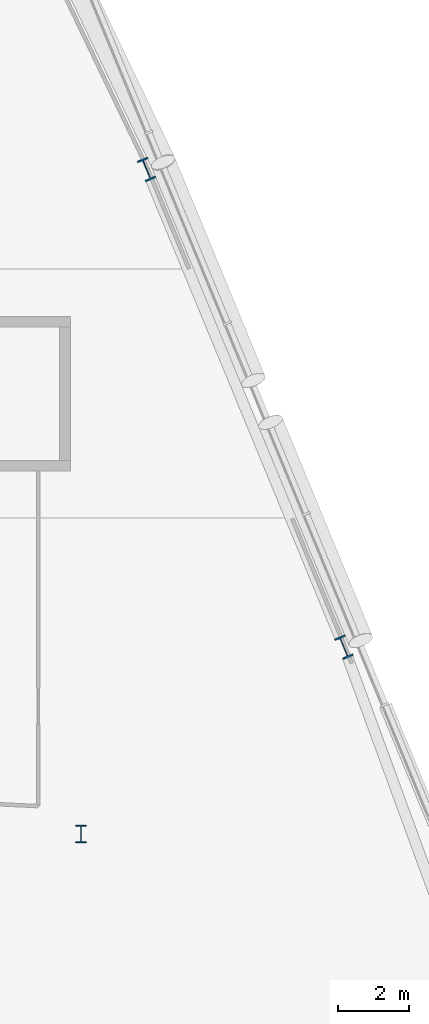
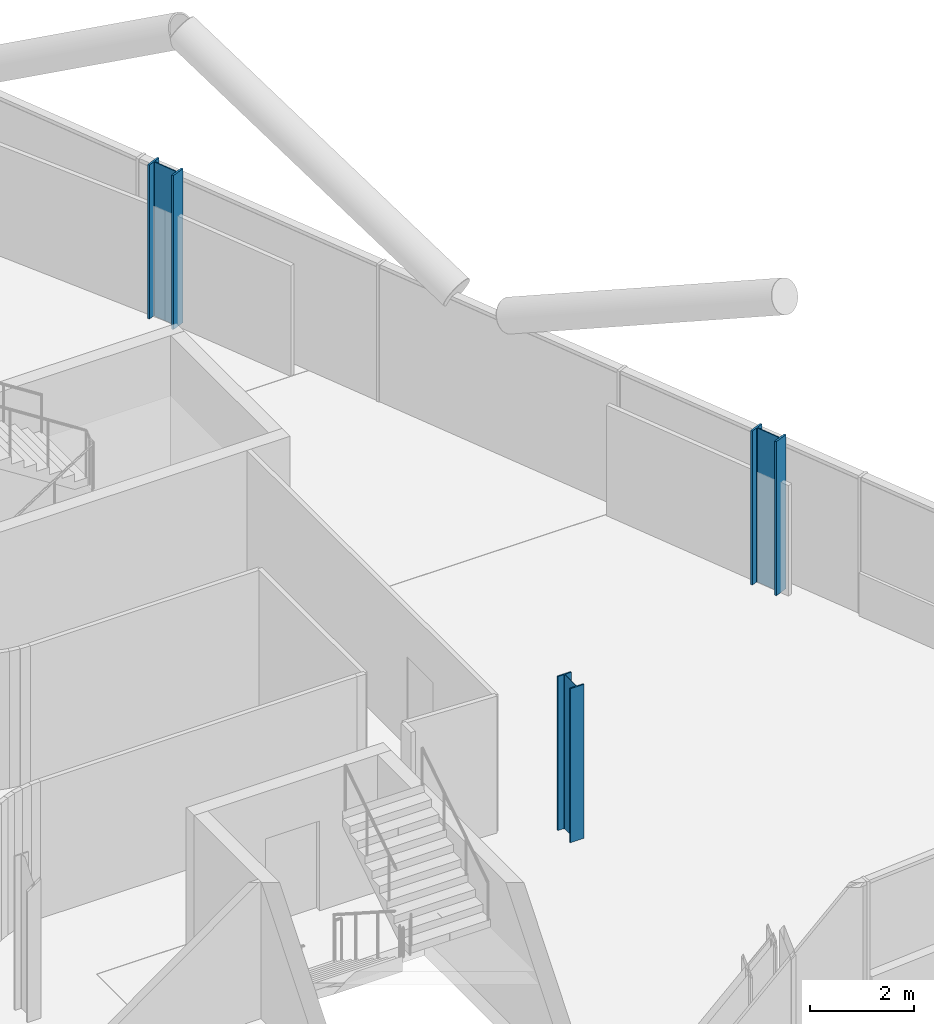
# One storey, part 5 of 27: 3 columns.
"""IFC4 building model written with IfcOpenShell, lengths in metres."""

from ifc_helpers import new_model, si_unit, direction, frame, origin, origin_2d, place, context, subcontext, project, spatial, i_section, extrude, material, material_profile, profile_set, type_object, element, save


model = new_model("IFC4")

# Units and contexts
model_context = context("Model", 3, precision=1e-05, world=origin(), true_north=direction((0.0, 1.0)))
body_context = subcontext(model_context, "Body", "Model", "MODEL_VIEW")
ifc_project = project(units=[si_unit("LENGTHUNIT", "METRE"), si_unit("AREAUNIT", "SQUARE_METRE"), si_unit("VOLUMEUNIT", "CUBIC_METRE"), si_unit("PLANEANGLEUNIT", "RADIAN"), si_unit("MASSUNIT", "GRAM", prefix="KILO")], contexts=[model_context])

# Site, building, storey
site_placement = place(None, origin())
site = spatial("IfcSite", under=ifc_project, at=site_placement, CompositionType="ELEMENT")
building_placement = place(site_placement, origin())
building = spatial("IfcBuilding", under=site, at=building_placement, Name="Wharfspan Tower", CompositionType="ELEMENT")
storey_placement = place(building_placement, frame((0.0, 0.0, 159.100098)))
storey = spatial("IfcBuildingStorey", under=building, at=storey_placement, Name="L38", CompositionType="ELEMENT", Elevation=159.100098)

# Columns
ifc_material = material(Name="Steel S355J2", Category="steel")
ifc_material_profile_1 = material_profile(ifc_material, i_section(OverallWidth=0.300049, OverallDepth=0.5, WebThickness=0.014404, FlangeThickness=0.028076, FilletRadius=0.0271, at=origin_2d()))
ifc_profile_set_1 = profile_set([ifc_material_profile_1], Name="Steel S355J2")
column_type_1 = type_object("IfcColumnType", Name="Column HEB 500", PredefinedType="COLUMN", material=ifc_profile_set_1)
column_placement = place(storey_placement, frame((72.0, 11.5, 0.0), z_axis=(0.0, 0.0, 1.0), x_axis=(1.0, 0.0, 0.0)))
element("IfcColumn", 1, at=column_placement, inside=storey, type_object=column_type_1, Name="Interior column I.1.5 L38", PredefinedType="COLUMN", context=body_context, shape_type="SweptSolid", body=[
    extrude(i_section(OverallWidth=0.300049, OverallDepth=0.5, WebThickness=0.014404, FlangeThickness=0.028076, FilletRadius=0.0271, at=origin_2d()), origin(), (0.0, 0.0, 1.0), 3.599854),
])
ifc_material_profile_2 = material_profile(ifc_material, i_section(OverallWidth=0.304932, OverallDepth=0.620117, WebThickness=0.020996, FlangeThickness=0.040039, FilletRadius=0.0271, at=origin_2d()))
ifc_profile_set_2 = profile_set([ifc_material_profile_2], Name="Steel S355J2")
column_type_2 = type_object("IfcColumnType", Name="Column HEM 600", PredefinedType="COLUMN", material=ifc_profile_set_2)
for number, where, z_axis, x_axis, name in (
    (2, (79.409668, 16.761719, 0.0), (0.0, 0.0, 1.0), (0.924325, 0.381602, 0.0), "Perimeter column PE.1 L38"),
    (3, (73.85376, 30.219238, 0.0), (0.0, 0.0, 1.0), (0.924325, 0.381602, 0.0), "Perimeter column PE.2 L38"),
):
    element("IfcColumn", number, at=place(storey_placement, frame(where, z_axis=z_axis, x_axis=x_axis)), inside=storey, type_object=column_type_2, Name=name, PredefinedType="COLUMN", context=body_context, shape_type="SweptSolid", body=[
        extrude(i_section(OverallWidth=0.304932, OverallDepth=0.620117, WebThickness=0.020996, FlangeThickness=0.040039, FilletRadius=0.0271, at=origin_2d()), origin(), (0.0, 0.0, 1.0), 3.599854),
    ])

save(model, "model.ifc")
